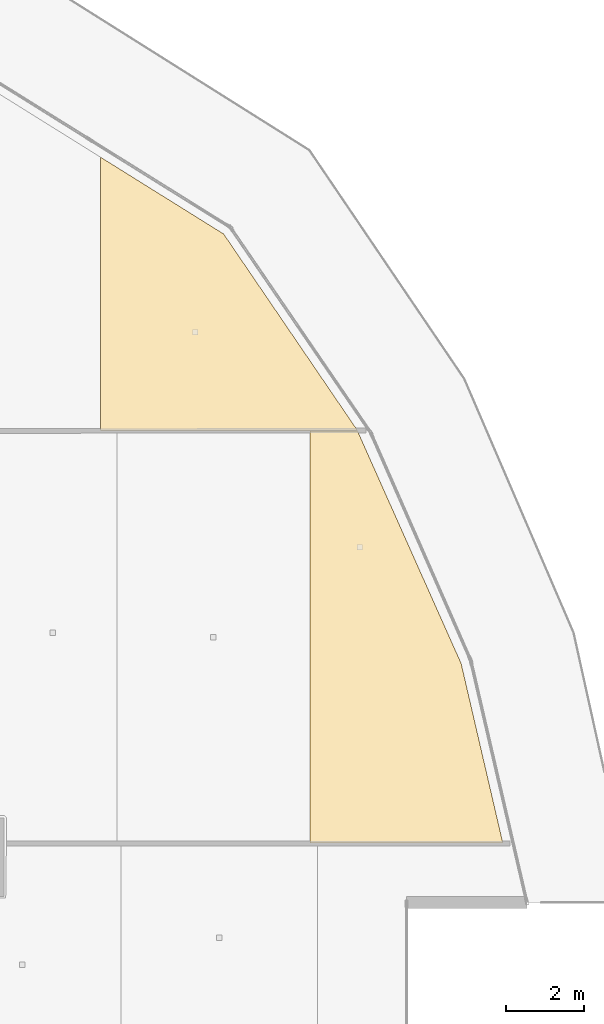
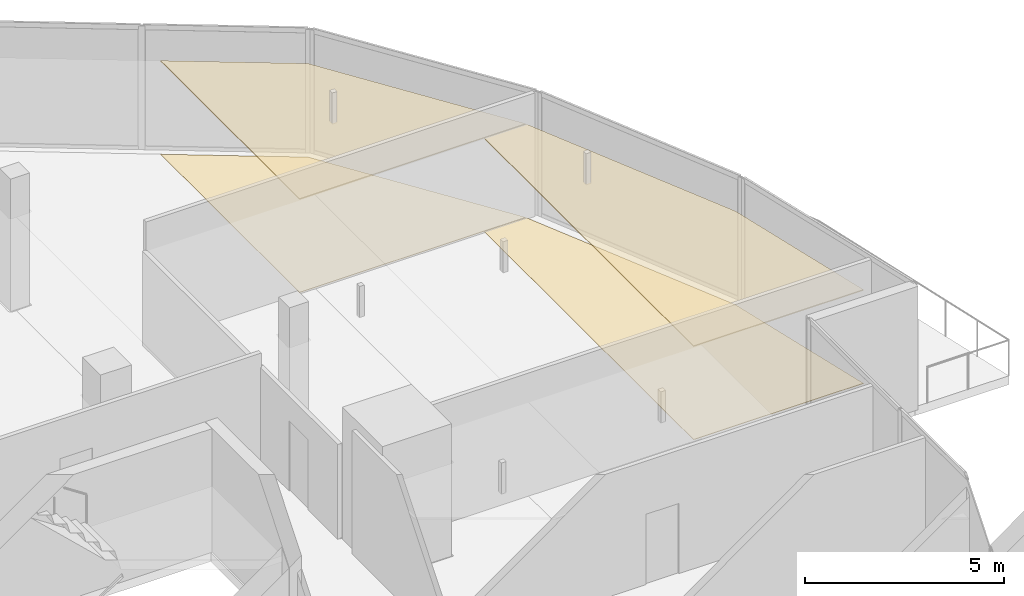
# One storey, part 37 of 37: 4 coverings.
"""IFC4 building model written with IfcOpenShell, lengths in metres."""

from ifc_helpers import new_model, si_unit, direction, frame, origin, place, context, subcontext, project, spatial, polyline, outline, extrude, material, layer, layer_set, type_object, element, save


model = new_model("IFC4")

# Units and contexts
model_context = context("Model", 3, precision=1e-05, world=origin(), true_north=direction((0.0, 1.0)))
body_context = subcontext(model_context, "Body", "Model", "MODEL_VIEW")
ifc_project = project(units=[si_unit("LENGTHUNIT", "METRE"), si_unit("AREAUNIT", "SQUARE_METRE"), si_unit("VOLUMEUNIT", "CUBIC_METRE"), si_unit("PLANEANGLEUNIT", "RADIAN"), si_unit("MASSUNIT", "GRAM", prefix="KILO")], contexts=[model_context])

# Site, building, storey
site_placement = place(None, origin())
site = spatial("IfcSite", under=ifc_project, at=site_placement, CompositionType="ELEMENT")
building_placement = place(site_placement, origin())
building = spatial("IfcBuilding", under=site, at=building_placement, Name="Qorvath Tower", CompositionType="ELEMENT")
storey_placement = place(building_placement, frame((0.0, 0.0, 188.85009765625)))
storey = spatial("IfcBuildingStorey", under=building, at=storey_placement, Name="L43", CompositionType="ELEMENT", Elevation=188.85009765625)

# Coverings
ifc_material_1 = material(Name="Acoustic mineral fibre ceiling tile", Category="gypsum")
ifc_layer_1 = layer(ifc_material_1, 0.030029296875)
ifc_layer_set_1 = layer_set([ifc_layer_1], Name="COV-CEIL")
covering_type_1 = type_object("IfcCoveringType", Name="COV-CEIL", PredefinedType="CEILING", material=ifc_layer_set_1)
covering_1_placement = place(storey_placement, frame((0.0, 0.0, 2.849853515625)))
element("IfcCovering", 1, at=covering_1_placement, inside=storey, type_object=covering_type_1, Name="L43 Suspended Acoustic Ceiling 018", PredefinedType="CEILING", context=body_context, shape_type="SweptSolid", body=[
    extrude(outline(polyline([(-8.6396484375, 23.598876953125), (-8.6396484375, 16.629638671875), (-2.091064453125, 16.634765625), (-5.499755859375, 21.64013671875), (-8.6396484375, 23.598876953125)])), origin(), (0.0, 0.0, 1.0), 0.030029296875),
])
covering_2_placement = place(storey_placement, frame((0.0, 0.0, 2.849853515625)))
element("IfcCovering", 2, at=covering_2_placement, inside=storey, type_object=covering_type_1, Name="L43 Suspended Acoustic Ceiling 038", PredefinedType="CEILING", context=body_context, shape_type="SweptSolid", body=[
    extrude(outline(polyline([(-3.302978515625, 16.615966796875), (-3.302978515625, 6.121826171875), (1.614013671875, 6.121826171875), (0.552734375, 10.695068359375), (-2.088134765625, 16.616943359375), (-3.302978515625, 16.615966796875)])), origin(), (0.0, 0.0, 1.0), 0.030029296875),
])
ifc_material_2 = material(Name="Low-VOC modular carpet tile", Category="textile")
ifc_layer_2 = layer(ifc_material_2, 0.014892578125)
ifc_layer_set_2 = layer_set([ifc_layer_2], Name="COV-FLOOR-CPT")
covering_type_2 = type_object("IfcCoveringType", Name="COV-FLOOR-CPT", PredefinedType="FLOORING", material=ifc_layer_set_2)
covering_3_placement = place(storey_placement, origin())
element("IfcCovering", 3, at=covering_3_placement, inside=storey, type_object=covering_type_2, Name="L43 Floor Finish 018", PredefinedType="FLOORING", context=body_context, shape_type="SweptSolid", body=[
    extrude(outline(polyline([(-8.6396484375, 23.598876953125), (-8.6396484375, 16.629638671875), (-2.091064453125, 16.634765625), (-5.499755859375, 21.64013671875), (-8.6396484375, 23.598876953125)])), origin(), (0.0, 0.0, 1.0), 0.014892578125),
])
covering_4_placement = place(storey_placement, origin())
element("IfcCovering", 4, at=covering_4_placement, inside=storey, type_object=covering_type_2, Name="L43 Floor Finish 038", PredefinedType="FLOORING", context=body_context, shape_type="SweptSolid", body=[
    extrude(outline(polyline([(-3.302978515625, 16.615966796875), (-3.302978515625, 6.121826171875), (1.614013671875, 6.121826171875), (0.552734375, 10.695068359375), (-2.088134765625, 16.616943359375), (-3.302978515625, 16.615966796875)])), origin(), (0.0, 0.0, 1.0), 0.014892578125),
])

save(model, "model.ifc")
